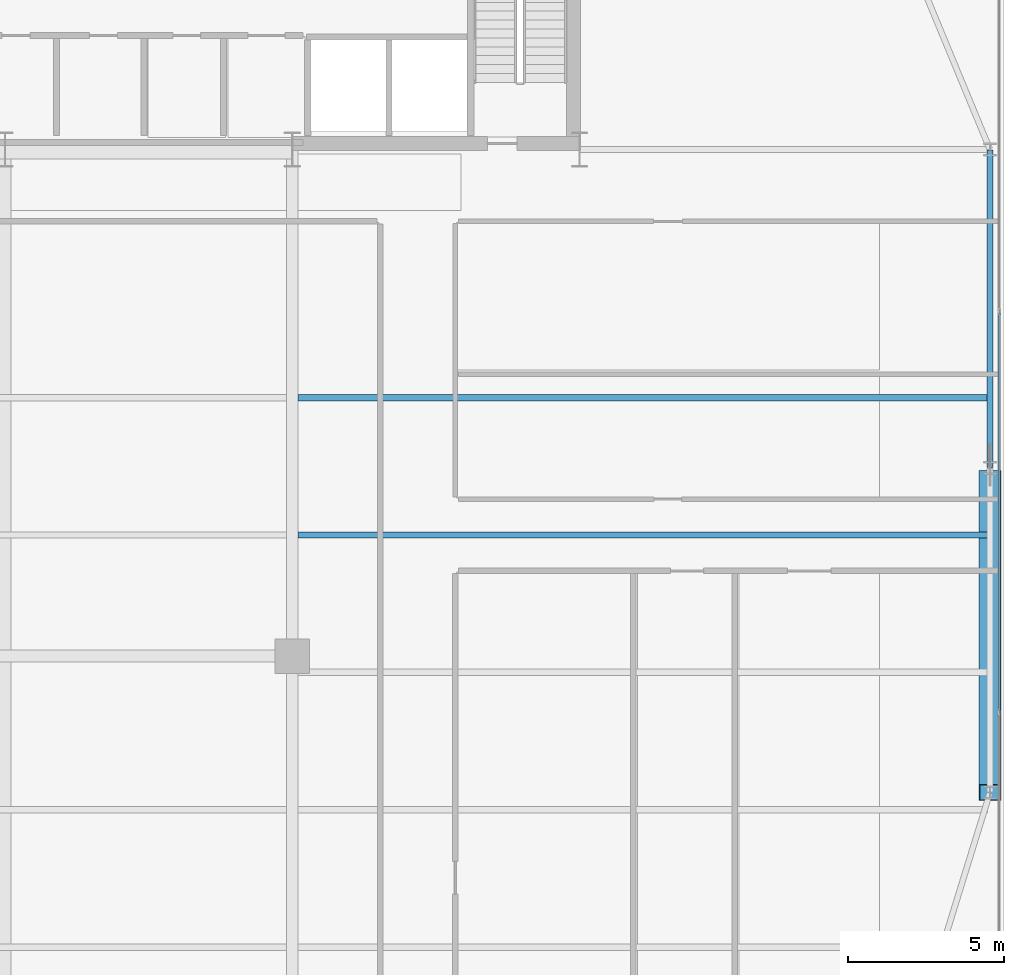
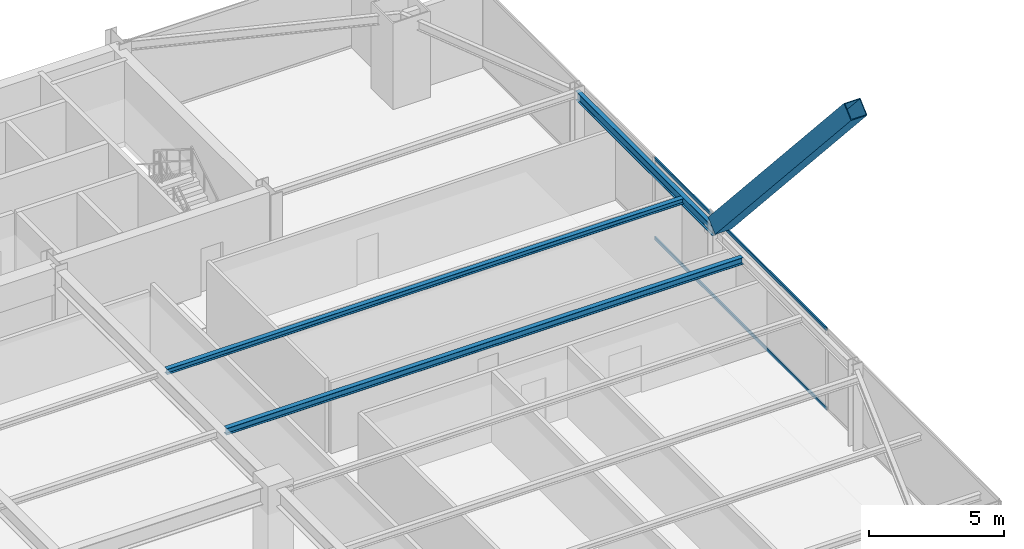
# One storey, part 18 of 35: 3 beams, 3 members, 1 element without a shape of its own.
"""IFC4 building model written with IfcOpenShell, lengths in metres."""

from ifc_helpers import new_model, si_unit, direction, frame, origin, origin_2d, place, context, subcontext, project, spatial, hollow_rectangle, i_section, extrude, source, transform, mapped, material, layer, layer_set, material_profile, profile_set, type_object, type_shapes, element, aggregate, save


model = new_model("IFC4")

# Units and contexts
model_context = context("Model", 3, precision=1e-05, world=origin(), true_north=direction((0.0, 1.0)))
body_context = subcontext(model_context, "Body", "Model", "MODEL_VIEW")
ifc_project = project(units=[si_unit("LENGTHUNIT", "METRE"), si_unit("AREAUNIT", "SQUARE_METRE"), si_unit("VOLUMEUNIT", "CUBIC_METRE"), si_unit("PLANEANGLEUNIT", "RADIAN"), si_unit("MASSUNIT", "GRAM", prefix="KILO")], contexts=[model_context])

# Site, building, storey
site_placement = place(None, origin())
site = spatial("IfcSite", under=ifc_project, at=site_placement, CompositionType="ELEMENT")
building_placement = place(site_placement, origin())
building = spatial("IfcBuilding", under=site, at=building_placement, Name="Varnel Quay Broadcast Tower", CompositionType="ELEMENT")
storey_placement = place(building_placement, frame((0.0, 0.0, 66.60009765625)))
storey = spatial("IfcBuildingStorey", under=building, at=storey_placement, Name="L15", CompositionType="ELEMENT", Elevation=66.60009765625)

# Beams
ifc_material_1 = material(Name="Structural Steel CSA G40.21 350W", Category="steel")
ifc_material_profile_1 = material_profile(ifc_material_1, i_section(OverallWidth=0.180908203125, OverallDepth=0.4169921875, WebThickness=0.010986328125, FlangeThickness=0.018310546875, FilletRadius=0.011962890625, at=origin_2d()), Name="W410X85")
ifc_profile_set_1 = profile_set([ifc_material_profile_1], Name="Structural Steel CSA G40.21 350W")
beam_type_1 = type_object("IfcBeamType", Name="Beam_W410X85", PredefinedType="SPANDREL", material=ifc_profile_set_1)
shared_shape_1 = source(origin(), body_context, "Body", "SweptSolid", [
    extrude(i_section(OverallWidth=0.180908203125, OverallDepth=0.4169921875, WebThickness=0.010986328125, FlangeThickness=0.018310546875, FilletRadius=0.011962890625, at=origin_2d()), origin(), (0.0, 0.0, 1.0), 10.16015625),
])
type_shapes(beam_type_1, [shared_shape_1])
beam_1_placement = place(storey_placement, frame((65.550048828125, 25.419921875, 3.44140625), z_axis=(0.0, 1.0, 0.0), x_axis=(-1.0, 0.0, 0.0)))
element("IfcBeam", 1, at=beam_1_placement, inside=storey, type_object=beam_type_1, Name="L15 East Spandrel TC-E2-TC-E3", PredefinedType="SPANDREL", context=body_context, shape_type="MappedRepresentation", body=[
    mapped(shared_shape_1, transform((0.0, 0.0, 0.0), x_axis=(1.0, 0.0, 0.0), y_axis=(0.0, 1.0, 0.0), z_axis=(0.0, 0.0, 1.0), scale=1.0)),
])
ifc_material_profile_2 = material_profile(ifc_material_1, i_section(OverallWidth=0.202880859375, OverallDepth=0.302978515625, WebThickness=0.007568359375, FlangeThickness=0.01318359375, FilletRadius=0.011962890625, at=origin_2d()), Name="W310X60")
ifc_profile_set_2 = profile_set([ifc_material_profile_2], Name="Structural Steel CSA G40.21 350W")
beam_type_2 = type_object("IfcBeamType", Name="Beam_W310X60", PredefinedType="JOIST", material=ifc_profile_set_2)
shared_shape_2 = source(origin(), body_context, "Body", "SweptSolid", [
    extrude(i_section(OverallWidth=0.202880859375, OverallDepth=0.302978515625, WebThickness=0.007568359375, FlangeThickness=0.01318359375, FilletRadius=0.011962890625, at=origin_2d()), origin(), (0.0, 0.0, 1.0), 22.0791015625),
])
type_shapes(beam_type_2, [shared_shape_2])
beam_2_placement = place(storey_placement, frame((43.385498046875, 23.25, 3.498291015625), z_axis=(1.0, 0.0, 0.0), x_axis=(0.0, 1.0, 0.0)))
element("IfcBeam", 2, at=beam_2_placement, inside=storey, type_object=beam_type_2, Name="L15 East Floor Joist 5", PredefinedType="JOIST", context=body_context, shape_type="MappedRepresentation", body=[
    mapped(shared_shape_2, transform((0.0, 0.0, 0.0), x_axis=(1.0, 0.0, 0.0), y_axis=(0.0, 1.0, 0.0), z_axis=(0.0, 0.0, 1.0), scale=1.0)),
])
ifc_material_profile_3 = material_profile(ifc_material_1, i_section(OverallWidth=0.201904296875, OverallDepth=0.2470703125, WebThickness=0.00732421875, FlangeThickness=0.010986328125, FilletRadius=0.010986328125, at=origin_2d()), Name="W250X49")
ifc_profile_set_3 = profile_set([ifc_material_profile_3], Name="Structural Steel CSA G40.21 350W")
beam_type_3 = type_object("IfcBeamType", Name="Beam_W250X49", PredefinedType="JOIST", material=ifc_profile_set_3)
shared_shape_3 = source(origin(), body_context, "Body", "SweptSolid", [
    extrude(i_section(OverallWidth=0.201904296875, OverallDepth=0.2470703125, WebThickness=0.00732421875, FlangeThickness=0.010986328125, FilletRadius=0.010986328125, at=origin_2d()), origin(), (0.0, 0.0, 1.0), 22.0791015625),
])
type_shapes(beam_type_3, [shared_shape_3])
beam_3_placement = place(storey_placement, frame((43.385498046875, 27.64990234375, 3.5263671875), z_axis=(1.0, 0.0, 0.0), x_axis=(0.0, 1.0, 0.0)))
element("IfcBeam", 3, at=beam_3_placement, inside=storey, type_object=beam_type_3, Name="L15 East Floor Joist 6", PredefinedType="JOIST", context=body_context, shape_type="MappedRepresentation", body=[
    mapped(shared_shape_3, transform((0.0, 0.0, 0.0), x_axis=(1.0, 0.0, 0.0), y_axis=(0.0, 1.0, 0.0), z_axis=(0.0, 0.0, 1.0), scale=1.0)),
])

# Member
ifc_material_2 = material(Name="Structural Steel CSA G40.21 350WT", Category="steel")
ifc_material_profile_4 = material_profile(ifc_material_2, hollow_rectangle(XDim=0.699951171875, YDim=0.699951171875, WallThickness=0.031982421875, at=origin_2d()), Name="BOX700X700X32")
ifc_profile_set_4 = profile_set([ifc_material_profile_4], Name="Structural Steel CSA G40.21 350WT")
member_type_1 = type_object("IfcMemberType", Name="Brace_BOX700X700X32", PredefinedType="BRACE", material=ifc_profile_set_4)
shared_shape_4 = source(origin(), body_context, "Body", "SweptSolid", [
    extrude(hollow_rectangle(XDim=0.699951171875, YDim=0.699951171875, WallThickness=0.031982421875, at=origin_2d()), origin(), (0.0, 0.0, 1.0), 15.076171875),
])
type_shapes(member_type_1, [shared_shape_4])
member_1_placement = place(storey_placement, frame((65.550048828125, 25.048583984375, 4.02099609375), z_axis=(0.0, -0.666523107086, 0.745484371212), x_axis=(1.0, 0.0, 0.0)))
element("IfcMember", 4, at=member_1_placement, inside=storey, type_object=member_type_1, Name="Zone 1 Mega-Brace E-FT3 Split Diag B2", PredefinedType="BRACE", context=body_context, shape_type="MappedRepresentation", body=[
    mapped(shared_shape_4, transform((0.0, 0.0, 0.0), x_axis=(1.0, 0.0, 0.0), y_axis=(0.0, 1.0, 0.0), z_axis=(0.0, 0.0, 1.0), scale=1.0)),
])

# Curtain wall, members
ifc_material_3 = material(Name="Anodised Bronze Aluminium 6063-T6", Category="aluminium")
ifc_layer = layer(ifc_material_3, 0.18994140625, Name="Anodised Bronze Aluminium 6063-T6")
ifc_layer_set = layer_set([ifc_layer], Name="Anodised Bronze Aluminium 6063-T6")
curtain_wall_type = type_object("IfcCurtainWallType", Name="CW_LowerTower", PredefinedType="NOTDEFINED", material=ifc_layer_set)
curtain_wall_placement = place(storey_placement, origin())
curtain_wall = element("IfcCurtainWall", 5, at=curtain_wall_placement, inside=storey, type_object=curtain_wall_type, Name="L15 East Unitised Curtain Wall", PredefinedType="NOTDEFINED")
ifc_material_profile_5 = material_profile(ifc_material_3, hollow_rectangle(XDim=0.06005859375, YDim=0.14501953125, WallThickness=0.00341796875, at=origin_2d()), Name="ALU60X145X3.5")
ifc_profile_set_5 = profile_set([ifc_material_profile_5], Name="Anodised Bronze Aluminium 6063-T6")
member_type_2 = type_object("IfcMemberType", Name="Tran_CWS-02", PredefinedType="USERDEFINED", material=ifc_profile_set_5)
shared_shape_5 = source(origin(), body_context, "Body", "SweptSolid", [
    extrude(hollow_rectangle(XDim=0.06005859375, YDim=0.14501953125, WallThickness=0.00341796875, at=origin_2d()), origin(), (0.0, 0.0, 1.0), 12.72998046875),
])
type_shapes(member_type_2, [shared_shape_5])
member_2_placement = place(storey_placement, frame((65.85009765625, 17.635009765625, 0.02978515625), z_axis=(0.0, 1.0, 0.0), x_axis=(-1.0, 0.0, 0.0)))
member_2 = element("IfcMember", 6, at=member_2_placement, type_object=member_type_2, Name="CWS-02 transom 2.1", ObjectType="TRANSOM", PredefinedType="USERDEFINED", context=body_context, shape_type="MappedRepresentation", body=[
    mapped(shared_shape_5, transform((0.0, 0.0, 0.0), x_axis=(1.0, 0.0, 0.0), y_axis=(0.0, 1.0, 0.0), z_axis=(0.0, 0.0, 1.0), scale=1.0)),
])
member_3_placement = place(storey_placement, frame((65.85009765625, 17.635009765625, 3.619873046875), z_axis=(0.0, 1.0, 0.0), x_axis=(-1.0, 0.0, 0.0)))
member_3 = element("IfcMember", 7, at=member_3_placement, type_object=member_type_2, Name="CWS-02 transom 2.2", ObjectType="TRANSOM", PredefinedType="USERDEFINED", context=body_context, shape_type="MappedRepresentation", body=[
    mapped(shared_shape_5, transform((0.0, 0.0, 0.0), x_axis=(1.0, 0.0, 0.0), y_axis=(0.0, 1.0, 0.0), z_axis=(0.0, 0.0, 1.0), scale=1.0)),
])
aggregate(curtain_wall, [member_2, member_3])

save(model, "model.ifc")
